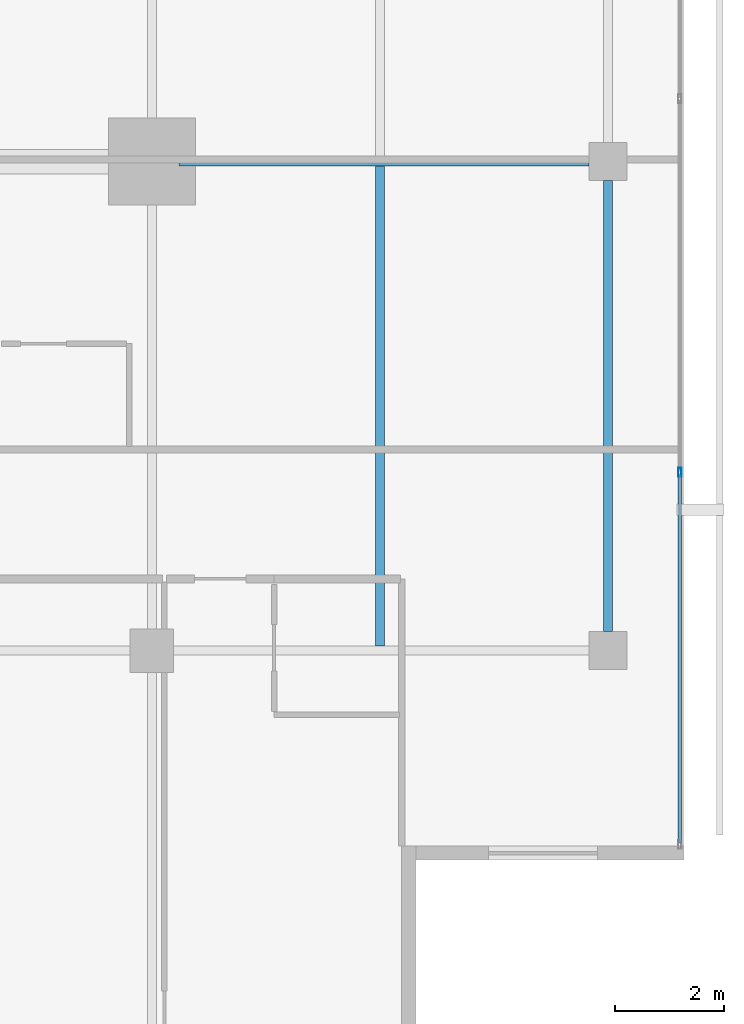
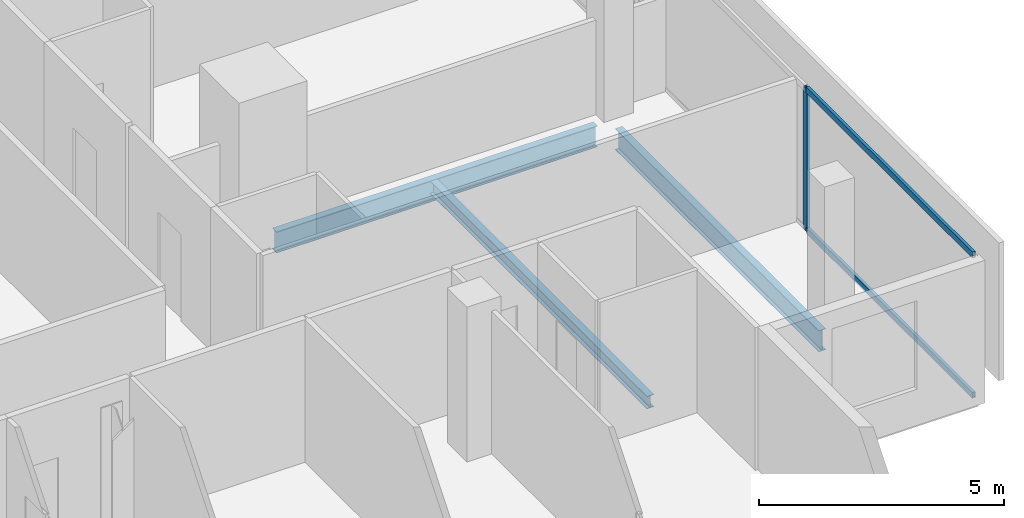
# One storey, part 12 of 26: 3 beams, 3 members, 1 element without a shape of its own.
"""IFC4 building model written with IfcOpenShell, lengths in metres."""

from ifc_helpers import new_model, si_unit, direction, frame, origin, origin_2d, place, context, subcontext, project, spatial, hollow_rectangle, i_section, extrude, material, layer, layer_set, material_profile, profile_set, type_object, element, aggregate, save


model = new_model("IFC4")

# Units and contexts
model_context = context("Model", 3, precision=1e-05, world=origin(), true_north=direction((0.0, 1.0)))
body_context = subcontext(model_context, "Body", "Model", "MODEL_VIEW")
ifc_project = project(units=[si_unit("LENGTHUNIT", "METRE"), si_unit("AREAUNIT", "SQUARE_METRE"), si_unit("VOLUMEUNIT", "CUBIC_METRE"), si_unit("PLANEANGLEUNIT", "RADIAN"), si_unit("MASSUNIT", "GRAM", prefix="KILO")], contexts=[model_context])

# Site, building, storey
site_placement = place(None, origin())
site = spatial("IfcSite", under=ifc_project, at=site_placement, CompositionType="ELEMENT")
building_placement = place(site_placement, origin())
building = spatial("IfcBuilding", under=site, at=building_placement, Name="Maruvema Waterfront Hotel and Observation Tower", CompositionType="ELEMENT")
storey_placement = place(building_placement, frame((0.0, 0.0, 312.550048828125)))
storey = spatial("IfcBuildingStorey", under=building, at=storey_placement, Name="L77", CompositionType="ELEMENT", Elevation=312.550048828125)

# Curtain wall, members
ifc_material_1 = material(Name="Anodised bronze aluminium and solar-control low-E IGU", Category="aluminium")
ifc_layer = layer(ifc_material_1, 0.159912109375, Name="Zone 3 Champagne Inner Thermal Curtain Wall System CW-04")
ifc_layer_set = layer_set([ifc_layer], Name="Anodised bronze aluminium and solar-control low-E IGU")
curtain_wall_type = type_object("IfcCurtainWallType", Name="Zone 3 Champagne Inner Thermal Curtain Wall System CW-04", PredefinedType="USERDEFINED", material=ifc_layer_set)
curtain_wall_placement = place(storey_placement, origin())
curtain_wall = element("IfcCurtainWall", 1, at=curtain_wall_placement, inside=storey, type_object=curtain_wall_type, Name="L77 Curtain Wall CW-L77-E", ObjectType="UNITISED CURTAIN WALL", PredefinedType="USERDEFINED")
ifc_material_2 = material(Name="Anodised architectural bronze aluminium", Category="aluminium")
ifc_material_profile_1 = material_profile(ifc_material_2, hollow_rectangle(XDim=0.070068359375, YDim=0.14990234375, WallThickness=0.00390625, at=origin_2d()), Name="ALU-T70x150")
ifc_profile_set_1 = profile_set([ifc_material_profile_1], Name="Anodised architectural bronze aluminium")
member_type_1 = type_object("IfcMemberType", Name="Curtain Wall Horizontal Transom ALU-T70x150", PredefinedType="USERDEFINED", material=ifc_profile_set_1)
member_1_placement = place(storey_placement, frame((60.1201171875, 14.4599609375, 0.030029296875), z_axis=(0.0, 1.0, 0.0), x_axis=(-1.0, 0.0, 0.0)))
member_1 = element("IfcMember", 2, at=member_1_placement, type_object=member_type_1, Name="CW-04 transom 1.1", ObjectType="TRANSOM", PredefinedType="USERDEFINED", context=body_context, shape_type="SweptSolid", body=[
    extrude(hollow_rectangle(XDim=0.070068359375, YDim=0.14990234375, WallThickness=0.00390625, at=origin_2d()), origin(), (0.0, 0.0, 1.0), 6.7900390625),
])
member_2_placement = place(storey_placement, frame((60.1201171875, 14.4599609375, 3.52001953125), z_axis=(0.0, 1.0, 0.0), x_axis=(-1.0, 0.0, 0.0)))
member_2 = element("IfcMember", 3, at=member_2_placement, type_object=member_type_1, Name="CW-04 transom 1.2", ObjectType="TRANSOM", PredefinedType="USERDEFINED", context=body_context, shape_type="SweptSolid", body=[
    extrude(hollow_rectangle(XDim=0.070068359375, YDim=0.14990234375, WallThickness=0.00390625, at=origin_2d()), origin(), (0.0, 0.0, 1.0), 6.7900390625),
])
ifc_material_3 = material(Name="Anodised architectural bronze aluminium", Category="aluminium")
ifc_material_profile_2 = material_profile(ifc_material_3, hollow_rectangle(XDim=0.06494140625, YDim=0.1650390625, WallThickness=0.00390625, at=origin_2d()), Name="ALU-M65x165")
ifc_profile_set_2 = profile_set([ifc_material_profile_2], Name="Anodised architectural bronze aluminium")
member_type_2 = type_object("IfcMemberType", Name="Curtain Wall Primary Mullion ALU-M65x165", PredefinedType="MULLION", material=ifc_profile_set_2)
member_3_placement = place(storey_placement, frame((60.1201171875, 21.280029296875, 0.0), z_axis=(0.0, 0.0, 1.0), x_axis=(-1.0, 0.0, 0.0)))
member_3 = element("IfcMember", 4, at=member_3_placement, type_object=member_type_2, Name="CW-04 mullion 2", PredefinedType="MULLION", context=body_context, shape_type="SweptSolid", body=[
    extrude(hollow_rectangle(XDim=0.06494140625, YDim=0.1650390625, WallThickness=0.00390625, at=origin_2d()), origin(), (0.0, 0.0, 1.0), 3.550048828125),
])
aggregate(curtain_wall, [member_3, member_1, member_2])

# Beams
ifc_material_4 = material(Name="Steel ASTM A572 Grade 50", Category="steel")
ifc_material_profile_3 = material_profile(ifc_material_4, i_section(OverallWidth=0.166015625, OverallDepth=0.529052734375, WebThickness=0.009765625, FlangeThickness=0.013671875, FilletRadius=0.014892578125, at=origin_2d()), Name="W530x74.0")
ifc_profile_set_3 = profile_set([ifc_material_profile_3], Name="Steel ASTM A572 Grade 50")
beam_type_1 = type_object("IfcBeamType", Name="Primary Floor Girder W530x74.0", PredefinedType="BEAM", material=ifc_profile_set_3)
beam_1_placement = place(storey_placement, frame((50.89990234375, 27.0, -0.504638671875), z_axis=(1.0, 0.0, 0.0), x_axis=(0.0, 1.0, 0.0)))
element("IfcBeam", 5, at=beam_1_placement, inside=storey, type_object=beam_type_1, Name="L77 Floor Girder EW-11", PredefinedType="BEAM", context=body_context, shape_type="SweptSolid", body=[
    extrude(i_section(OverallWidth=0.166015625, OverallDepth=0.529052734375, WebThickness=0.009765625, FlangeThickness=0.013671875, FilletRadius=0.014892578125, at=origin_2d()), origin(), (0.0, 0.0, 1.0), 7.550048828125),
])
beam_2_placement = place(storey_placement, frame((58.800048828125, 18.35009765625, -0.504638671875), z_axis=(0.0, 1.0, 0.0), x_axis=(-1.0, 0.0, 0.0)))
element("IfcBeam", 6, at=beam_2_placement, inside=storey, type_object=beam_type_1, Name="L77 Floor Girder NS-16", PredefinedType="BEAM", context=body_context, shape_type="SweptSolid", body=[
    extrude(i_section(OverallWidth=0.166015625, OverallDepth=0.529052734375, WebThickness=0.009765625, FlangeThickness=0.013671875, FilletRadius=0.014892578125, at=origin_2d()), origin(), (0.0, 0.0, 1.0), 8.2998046875),
])
ifc_material_5 = material(Name="Steel ASTM A572 Grade 50", Category="steel")
ifc_material_profile_4 = material_profile(ifc_material_5, i_section(OverallWidth=0.1669921875, OverallDepth=0.31689453125, WebThickness=0.007568359375, FlangeThickness=0.01318359375, FilletRadius=0.012939453125, at=origin_2d()), Name="W310x52.0")
ifc_profile_set_4 = profile_set([ifc_material_profile_4], Name="Steel ASTM A572 Grade 50")
beam_type_2 = type_object("IfcBeamType", Name="Secondary Floor Joist W310x52.0", PredefinedType="JOIST", material=ifc_profile_set_4)
beam_3_placement = place(storey_placement, frame((54.60009765625, 18.0830078125, -0.3984375), z_axis=(0.0, 1.0, 0.0), x_axis=(-1.0, 0.0, 0.0)))
element("IfcBeam", 7, at=beam_3_placement, inside=storey, type_object=beam_type_2, Name="L77 Secondary Floor Joist JS-07", PredefinedType="JOIST", context=body_context, shape_type="SweptSolid", body=[
    extrude(i_section(OverallWidth=0.1669921875, OverallDepth=0.31689453125, WebThickness=0.007568359375, FlangeThickness=0.01318359375, FilletRadius=0.012939453125, at=origin_2d()), origin(), (0.0, 0.0, 1.0), 8.833984375),
])

save(model, "model.ifc")
